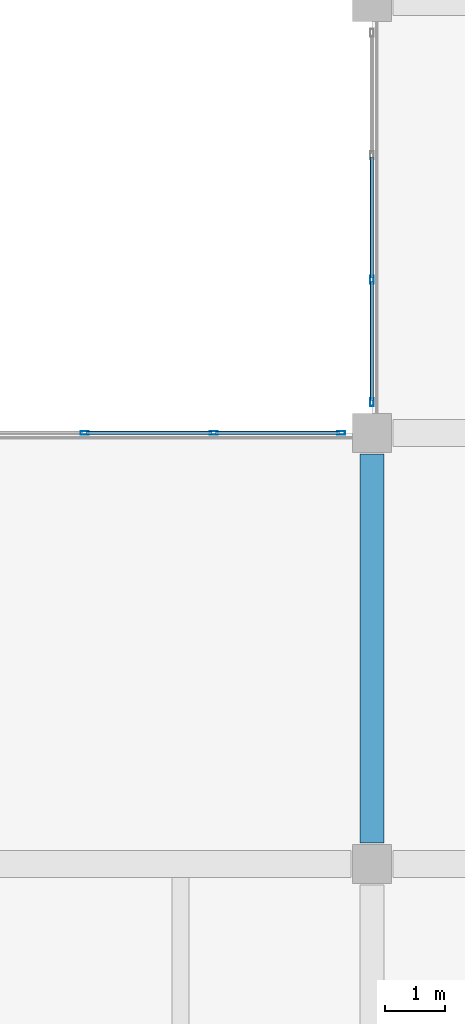
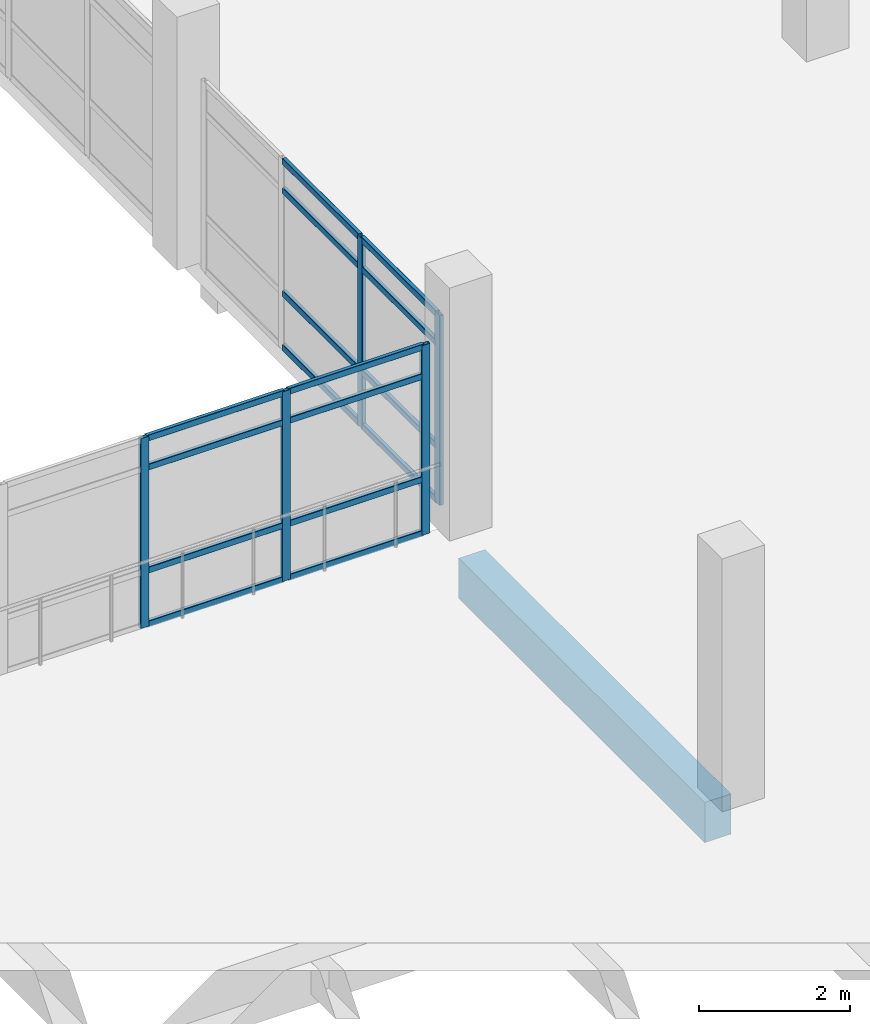
# One storey, part 66 of 134: 21 members, 1 beam, 2 elements without a shape of their own.
"""IFC4 building model written with IfcOpenShell, lengths in metres."""

from ifc_helpers import new_model, si_unit, direction, frame, origin, origin_2d, place, context, subcontext, project, spatial, rectangle, hollow_rectangle, extrude, material, layer, layer_set, material_profile, profile_set, type_object, element, aggregate, save


model = new_model("IFC4")

# Units and contexts
model_context = context("Model", 3, precision=1e-05, world=origin(), true_north=direction((0.0, 1.0)))
body_context = subcontext(model_context, "Body", "Model", "MODEL_VIEW")
ifc_project = project(units=[si_unit("LENGTHUNIT", "METRE"), si_unit("AREAUNIT", "SQUARE_METRE"), si_unit("VOLUMEUNIT", "CUBIC_METRE"), si_unit("PLANEANGLEUNIT", "RADIAN"), si_unit("MASSUNIT", "GRAM", prefix="KILO")], contexts=[model_context])

# Site, building, storey
site_placement = place(None, origin())
site = spatial("IfcSite", under=ifc_project, at=site_placement, CompositionType="ELEMENT")
building_placement = place(site_placement, origin())
building = spatial("IfcBuilding", under=site, at=building_placement, Name="Asteropetra Specialist Clinic", CompositionType="ELEMENT")
storey_placement = place(building_placement, frame((0.0, 0.0, 8.5)))
storey = spatial("IfcBuildingStorey", under=building, at=storey_placement, Name="L02", CompositionType="ELEMENT", Elevation=8.5)

# Beam
ifc_material_1 = material(Name="Concrete C35/45", Category="concrete")
ifc_material_profile_1 = material_profile(ifc_material_1, rectangle(XDim=0.39990234375, YDim=0.64990234375, at=origin_2d()), Name="RCB 400x650")
ifc_profile_set_1 = profile_set([ifc_material_profile_1], Name="Concrete C35/45")
beam_type = type_object("IfcBeamType", Name="BM-RC400x650", PredefinedType="BEAM", material=ifc_profile_set_1)
beam_placement = place(storey_placement, frame((134.39990234375, 12.35009765625, -0.625), z_axis=(0.0, 1.0, 0.0), x_axis=(-1.0, 0.0, 0.0)))
element("IfcBeam", 1, at=beam_placement, inside=storey, type_object=beam_type, Name="Beam BBM07-1184", PredefinedType="BEAM", context=body_context, shape_type="SweptSolid", body=[
    extrude(rectangle(XDim=0.39990234375, YDim=0.64990234375, at=origin_2d()), origin(), (0.0, 0.0, 1.0), 6.5),
])

# Curtain wall, members
ifc_material_2 = material(Name="Aluminium and low-E glass", Category="aluminium")
ifc_layer_1 = layer(ifc_material_2, 0.14990234375)
ifc_layer_set_1 = layer_set([ifc_layer_1], Name="Aluminium and low-E glass")
curtain_wall_type_1 = type_object("IfcCurtainWallType", Name="CW-SYS-08", PredefinedType="USERDEFINED", material=ifc_layer_set_1)
curtain_wall_1_placement = place(storey_placement, origin())
curtain_wall_1 = element("IfcCurtainWall", 2, at=curtain_wall_1_placement, inside=storey, type_object=curtain_wall_type_1, Name="Curtain Wall CW-077", ObjectType="STICK GLAZED COLONNADE", PredefinedType="USERDEFINED")
ifc_material_3 = material(Name="Aluminium 6063-T6", Category="aluminium")
ifc_material_profile_2 = material_profile(ifc_material_3, hollow_rectangle(XDim=0.06005859375, YDim=0.135009765625, WallThickness=0.00341796875, InnerFilletRadius=0.00341796875, OuterFilletRadius=0.007080078125, at=origin_2d()), Name="MUL 135x60x3.5")
ifc_profile_set_2 = profile_set([ifc_material_profile_2], Name="Aluminium 6063-T6")
member_type_1 = type_object("IfcMemberType", Name="CWM-135x60", PredefinedType="MULLION", material=ifc_profile_set_2)
member_1_placement = place(storey_placement, frame((129.60009765625, 19.199951171875, 0.0), z_axis=(0.0, 0.0, 1.0), x_axis=(0.0, 1.0, 0.0)))
member_1 = element("IfcMember", 3, at=member_1_placement, type_object=member_type_1, Name="CW-077 mullion 3", PredefinedType="MULLION", context=body_context, shape_type="SweptSolid", body=[
    extrude(hollow_rectangle(XDim=0.06005859375, YDim=0.135009765625, WallThickness=0.00341796875, InnerFilletRadius=0.00341796875, OuterFilletRadius=0.007080078125, at=origin_2d()), origin(), (0.0, 0.0, 1.0), 3.06005859375),
])
member_2_placement = place(storey_placement, frame((131.757568359375, 19.199951171875, 0.0), z_axis=(0.0, 0.0, 1.0), x_axis=(0.0, 1.0, 0.0)))
member_2 = element("IfcMember", 4, at=member_2_placement, type_object=member_type_1, Name="CW-077 mullion 4", PredefinedType="MULLION", context=body_context, shape_type="SweptSolid", body=[
    extrude(hollow_rectangle(XDim=0.06005859375, YDim=0.135009765625, WallThickness=0.00341796875, InnerFilletRadius=0.00341796875, OuterFilletRadius=0.007080078125, at=origin_2d()), origin(), (0.0, 0.0, 1.0), 3.06005859375),
])
member_3_placement = place(storey_placement, frame((133.885009765625, 19.199951171875, 0.0), z_axis=(0.0, 0.0, 1.0), x_axis=(0.0, 1.0, 0.0)))
member_3 = element("IfcMember", 5, at=member_3_placement, type_object=member_type_1, Name="CW-077 mullion 5", PredefinedType="MULLION", context=body_context, shape_type="SweptSolid", body=[
    extrude(hollow_rectangle(XDim=0.06005859375, YDim=0.135009765625, WallThickness=0.00341796875, InnerFilletRadius=0.00341796875, OuterFilletRadius=0.007080078125, at=origin_2d()), origin(), (0.0, 0.0, 1.0), 3.06005859375),
])

ifc_material_4 = material(Name="Aluminium and low-E glass", Category="aluminium")
ifc_layer_2 = layer(ifc_material_4, 0.14990234375)
ifc_layer_set_2 = layer_set([ifc_layer_2], Name="Aluminium and low-E glass")
curtain_wall_type_2 = type_object("IfcCurtainWallType", Name="CW-SYS-11", PredefinedType="USERDEFINED", material=ifc_layer_set_2)
curtain_wall_2_placement = place(storey_placement, origin())
curtain_wall_2 = element("IfcCurtainWall", 6, at=curtain_wall_2_placement, inside=storey, type_object=curtain_wall_type_2, Name="Curtain Wall CW-080", ObjectType="STICK GLAZED COLONNADE", PredefinedType="USERDEFINED")
member_4_placement = place(storey_placement, frame((134.39990234375, 19.715087890625, 0.0), z_axis=(0.0, 0.0, 1.0), x_axis=(-1.0, 0.0, 0.0)))
member_4 = element("IfcMember", 7, at=member_4_placement, type_object=member_type_1, Name="CW-080 mullion 1", PredefinedType="MULLION", context=body_context, shape_type="SweptSolid", body=[
    extrude(hollow_rectangle(XDim=0.06005859375, YDim=0.135009765625, WallThickness=0.00341796875, InnerFilletRadius=0.00341796875, OuterFilletRadius=0.007080078125, at=origin_2d()), origin(), (0.0, 0.0, 1.0), 3.06005859375),
])
member_5_placement = place(storey_placement, frame((134.39990234375, 21.76171875, 0.0), z_axis=(0.0, 0.0, 1.0), x_axis=(-1.0, 0.0, 0.0)))
member_5 = element("IfcMember", 8, at=member_5_placement, type_object=member_type_1, Name="CW-080 mullion 2", PredefinedType="MULLION", context=body_context, shape_type="SweptSolid", body=[
    extrude(hollow_rectangle(XDim=0.06005859375, YDim=0.135009765625, WallThickness=0.00341796875, InnerFilletRadius=0.00341796875, OuterFilletRadius=0.007080078125, at=origin_2d()), origin(), (0.0, 0.0, 1.0), 3.06005859375),
])

# Member
ifc_material_5 = material(Name="Aluminium 6063-T6", Category="aluminium")
ifc_material_profile_3 = material_profile(ifc_material_5, hollow_rectangle(XDim=0.06005859375, YDim=0.10009765625, WallThickness=0.00341796875, InnerFilletRadius=0.00341796875, OuterFilletRadius=0.007080078125, at=origin_2d()), Name="TRN 100x60x3.5")
ifc_profile_set_3 = profile_set([ifc_material_profile_3], Name="Aluminium 6063-T6")
member_type_2 = type_object("IfcMemberType", Name="CWT-100x60", PredefinedType="USERDEFINED", material=ifc_profile_set_3)
member_6_placement = place(storey_placement, frame((129.6298828125, 19.199951171875, 0.030029296875), z_axis=(1.0, 0.0, 0.0), x_axis=(0.0, 1.0, 0.0)))
member_6 = element("IfcMember", 9, at=member_6_placement, type_object=member_type_2, Name="CW-077 transom 3.1", ObjectType="TRANSOM", PredefinedType="USERDEFINED", context=body_context, shape_type="SweptSolid", body=[
    extrude(hollow_rectangle(XDim=0.06005859375, YDim=0.10009765625, WallThickness=0.00341796875, InnerFilletRadius=0.00341796875, OuterFilletRadius=0.007080078125, at=origin_2d()), origin(), (0.0, 0.0, 1.0), 2.09765625),
])

member_7_placement = place(storey_placement, frame((129.6298828125, 19.199951171875, 0.89990234375), z_axis=(1.0, 0.0, 0.0), x_axis=(0.0, 1.0, 0.0)))
member_7 = element("IfcMember", 10, at=member_7_placement, type_object=member_type_2, Name="CW-077 transom 3.2", ObjectType="TRANSOM", PredefinedType="USERDEFINED", context=body_context, shape_type="SweptSolid", body=[
    extrude(hollow_rectangle(XDim=0.06005859375, YDim=0.10009765625, WallThickness=0.00341796875, InnerFilletRadius=0.00341796875, OuterFilletRadius=0.007080078125, at=origin_2d()), origin(), (0.0, 0.0, 1.0), 2.09765625),
])

member_8_placement = place(storey_placement, frame((129.6298828125, 19.199951171875, 2.56005859375), z_axis=(1.0, 0.0, 0.0), x_axis=(0.0, 1.0, 0.0)))
member_8 = element("IfcMember", 11, at=member_8_placement, type_object=member_type_2, Name="CW-077 transom 3.3", ObjectType="TRANSOM", PredefinedType="USERDEFINED", context=body_context, shape_type="SweptSolid", body=[
    extrude(hollow_rectangle(XDim=0.06005859375, YDim=0.10009765625, WallThickness=0.00341796875, InnerFilletRadius=0.00341796875, OuterFilletRadius=0.007080078125, at=origin_2d()), origin(), (0.0, 0.0, 1.0), 2.09765625),
])

member_9_placement = place(storey_placement, frame((129.6298828125, 19.199951171875, 3.030029296875), z_axis=(1.0, 0.0, 0.0), x_axis=(0.0, 1.0, 0.0)))
member_9 = element("IfcMember", 12, at=member_9_placement, type_object=member_type_2, Name="CW-077 transom 3.4", ObjectType="TRANSOM", PredefinedType="USERDEFINED", context=body_context, shape_type="SweptSolid", body=[
    extrude(hollow_rectangle(XDim=0.06005859375, YDim=0.10009765625, WallThickness=0.00341796875, InnerFilletRadius=0.00341796875, OuterFilletRadius=0.007080078125, at=origin_2d()), origin(), (0.0, 0.0, 1.0), 2.09765625),
])

member_10_placement = place(storey_placement, frame((131.78759765625, 19.199951171875, 0.030029296875), z_axis=(1.0, 0.0, 0.0), x_axis=(0.0, 1.0, 0.0)))
member_10 = element("IfcMember", 13, at=member_10_placement, type_object=member_type_2, Name="CW-077 transom 4.1", ObjectType="TRANSOM", PredefinedType="USERDEFINED", context=body_context, shape_type="SweptSolid", body=[
    extrude(hollow_rectangle(XDim=0.06005859375, YDim=0.10009765625, WallThickness=0.00341796875, InnerFilletRadius=0.00341796875, OuterFilletRadius=0.007080078125, at=origin_2d()), origin(), (0.0, 0.0, 1.0), 2.0673828125),
])

member_11_placement = place(storey_placement, frame((131.78759765625, 19.199951171875, 0.89990234375), z_axis=(1.0, 0.0, 0.0), x_axis=(0.0, 1.0, 0.0)))
member_11 = element("IfcMember", 14, at=member_11_placement, type_object=member_type_2, Name="CW-077 transom 4.2", ObjectType="TRANSOM", PredefinedType="USERDEFINED", context=body_context, shape_type="SweptSolid", body=[
    extrude(hollow_rectangle(XDim=0.06005859375, YDim=0.10009765625, WallThickness=0.00341796875, InnerFilletRadius=0.00341796875, OuterFilletRadius=0.007080078125, at=origin_2d()), origin(), (0.0, 0.0, 1.0), 2.0673828125),
])

member_12_placement = place(storey_placement, frame((131.78759765625, 19.199951171875, 2.56005859375), z_axis=(1.0, 0.0, 0.0), x_axis=(0.0, 1.0, 0.0)))
member_12 = element("IfcMember", 15, at=member_12_placement, type_object=member_type_2, Name="CW-077 transom 4.3", ObjectType="TRANSOM", PredefinedType="USERDEFINED", context=body_context, shape_type="SweptSolid", body=[
    extrude(hollow_rectangle(XDim=0.06005859375, YDim=0.10009765625, WallThickness=0.00341796875, InnerFilletRadius=0.00341796875, OuterFilletRadius=0.007080078125, at=origin_2d()), origin(), (0.0, 0.0, 1.0), 2.0673828125),
])

member_13_placement = place(storey_placement, frame((131.78759765625, 19.199951171875, 3.030029296875), z_axis=(1.0, 0.0, 0.0), x_axis=(0.0, 1.0, 0.0)))
member_13 = element("IfcMember", 16, at=member_13_placement, type_object=member_type_2, Name="CW-077 transom 4.4", ObjectType="TRANSOM", PredefinedType="USERDEFINED", context=body_context, shape_type="SweptSolid", body=[
    extrude(hollow_rectangle(XDim=0.06005859375, YDim=0.10009765625, WallThickness=0.00341796875, InnerFilletRadius=0.00341796875, OuterFilletRadius=0.007080078125, at=origin_2d()), origin(), (0.0, 0.0, 1.0), 2.0673828125),
])

aggregate(curtain_wall_1, [member_1, member_2, member_3, member_6, member_7, member_8, member_9, member_10, member_11, member_12, member_13])

member_14_placement = place(storey_placement, frame((134.39990234375, 19.7451171875, 0.030029296875), z_axis=(0.0, 1.0, 0.0), x_axis=(-1.0, 0.0, 0.0)))
member_14 = element("IfcMember", 17, at=member_14_placement, type_object=member_type_2, Name="CW-080 transom 1.1", ObjectType="TRANSOM", PredefinedType="USERDEFINED", context=body_context, shape_type="SweptSolid", body=[
    extrude(hollow_rectangle(XDim=0.06005859375, YDim=0.10009765625, WallThickness=0.00341796875, InnerFilletRadius=0.00341796875, OuterFilletRadius=0.007080078125, at=origin_2d()), origin(), (0.0, 0.0, 1.0), 1.986572265625),
])

member_15_placement = place(storey_placement, frame((134.39990234375, 19.7451171875, 0.89990234375), z_axis=(0.0, 1.0, 0.0), x_axis=(-1.0, 0.0, 0.0)))
member_15 = element("IfcMember", 18, at=member_15_placement, type_object=member_type_2, Name="CW-080 transom 1.2", ObjectType="TRANSOM", PredefinedType="USERDEFINED", context=body_context, shape_type="SweptSolid", body=[
    extrude(hollow_rectangle(XDim=0.06005859375, YDim=0.10009765625, WallThickness=0.00341796875, InnerFilletRadius=0.00341796875, OuterFilletRadius=0.007080078125, at=origin_2d()), origin(), (0.0, 0.0, 1.0), 1.986572265625),
])

member_16_placement = place(storey_placement, frame((134.39990234375, 19.7451171875, 2.56005859375), z_axis=(0.0, 1.0, 0.0), x_axis=(-1.0, 0.0, 0.0)))
member_16 = element("IfcMember", 19, at=member_16_placement, type_object=member_type_2, Name="CW-080 transom 1.3", ObjectType="TRANSOM", PredefinedType="USERDEFINED", context=body_context, shape_type="SweptSolid", body=[
    extrude(hollow_rectangle(XDim=0.06005859375, YDim=0.10009765625, WallThickness=0.00341796875, InnerFilletRadius=0.00341796875, OuterFilletRadius=0.007080078125, at=origin_2d()), origin(), (0.0, 0.0, 1.0), 1.986572265625),
])

member_17_placement = place(storey_placement, frame((134.39990234375, 19.7451171875, 3.030029296875), z_axis=(0.0, 1.0, 0.0), x_axis=(-1.0, 0.0, 0.0)))
member_17 = element("IfcMember", 20, at=member_17_placement, type_object=member_type_2, Name="CW-080 transom 1.4", ObjectType="TRANSOM", PredefinedType="USERDEFINED", context=body_context, shape_type="SweptSolid", body=[
    extrude(hollow_rectangle(XDim=0.06005859375, YDim=0.10009765625, WallThickness=0.00341796875, InnerFilletRadius=0.00341796875, OuterFilletRadius=0.007080078125, at=origin_2d()), origin(), (0.0, 0.0, 1.0), 1.986572265625),
])

member_18_placement = place(storey_placement, frame((134.39990234375, 21.791748046875, 0.030029296875), z_axis=(0.0, 1.0, 0.0), x_axis=(-1.0, 0.0, 0.0)))
member_18 = element("IfcMember", 21, at=member_18_placement, type_object=member_type_2, Name="CW-080 transom 2.1", ObjectType="TRANSOM", PredefinedType="USERDEFINED", context=body_context, shape_type="SweptSolid", body=[
    extrude(hollow_rectangle(XDim=0.06005859375, YDim=0.10009765625, WallThickness=0.00341796875, InnerFilletRadius=0.00341796875, OuterFilletRadius=0.007080078125, at=origin_2d()), origin(), (0.0, 0.0, 1.0), 2.0166015625),
])

member_19_placement = place(storey_placement, frame((134.39990234375, 21.791748046875, 0.89990234375), z_axis=(0.0, 1.0, 0.0), x_axis=(-1.0, 0.0, 0.0)))
member_19 = element("IfcMember", 22, at=member_19_placement, type_object=member_type_2, Name="CW-080 transom 2.2", ObjectType="TRANSOM", PredefinedType="USERDEFINED", context=body_context, shape_type="SweptSolid", body=[
    extrude(hollow_rectangle(XDim=0.06005859375, YDim=0.10009765625, WallThickness=0.00341796875, InnerFilletRadius=0.00341796875, OuterFilletRadius=0.007080078125, at=origin_2d()), origin(), (0.0, 0.0, 1.0), 2.0166015625),
])

member_20_placement = place(storey_placement, frame((134.39990234375, 21.791748046875, 2.56005859375), z_axis=(0.0, 1.0, 0.0), x_axis=(-1.0, 0.0, 0.0)))
member_20 = element("IfcMember", 23, at=member_20_placement, type_object=member_type_2, Name="CW-080 transom 2.3", ObjectType="TRANSOM", PredefinedType="USERDEFINED", context=body_context, shape_type="SweptSolid", body=[
    extrude(hollow_rectangle(XDim=0.06005859375, YDim=0.10009765625, WallThickness=0.00341796875, InnerFilletRadius=0.00341796875, OuterFilletRadius=0.007080078125, at=origin_2d()), origin(), (0.0, 0.0, 1.0), 2.0166015625),
])

member_21_placement = place(storey_placement, frame((134.39990234375, 21.791748046875, 3.030029296875), z_axis=(0.0, 1.0, 0.0), x_axis=(-1.0, 0.0, 0.0)))
member_21 = element("IfcMember", 24, at=member_21_placement, type_object=member_type_2, Name="CW-080 transom 2.4", ObjectType="TRANSOM", PredefinedType="USERDEFINED", context=body_context, shape_type="SweptSolid", body=[
    extrude(hollow_rectangle(XDim=0.06005859375, YDim=0.10009765625, WallThickness=0.00341796875, InnerFilletRadius=0.00341796875, OuterFilletRadius=0.007080078125, at=origin_2d()), origin(), (0.0, 0.0, 1.0), 2.0166015625),
])

aggregate(curtain_wall_2, [member_4, member_5, member_14, member_15, member_16, member_17, member_18, member_19, member_20, member_21])

save(model, "model.ifc")
